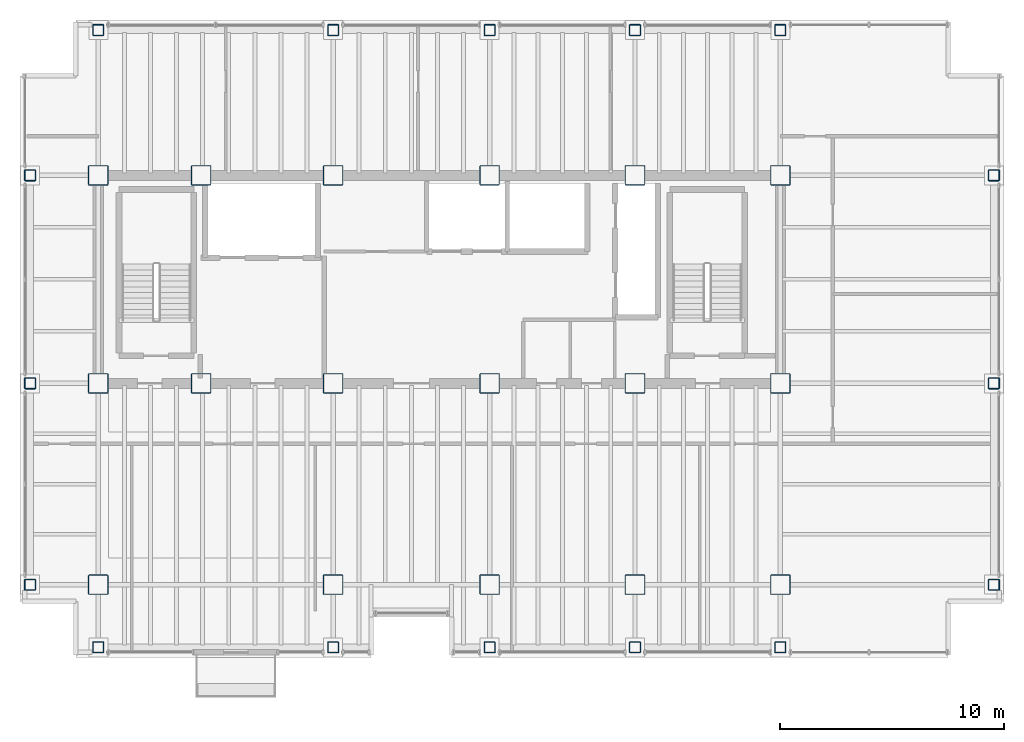
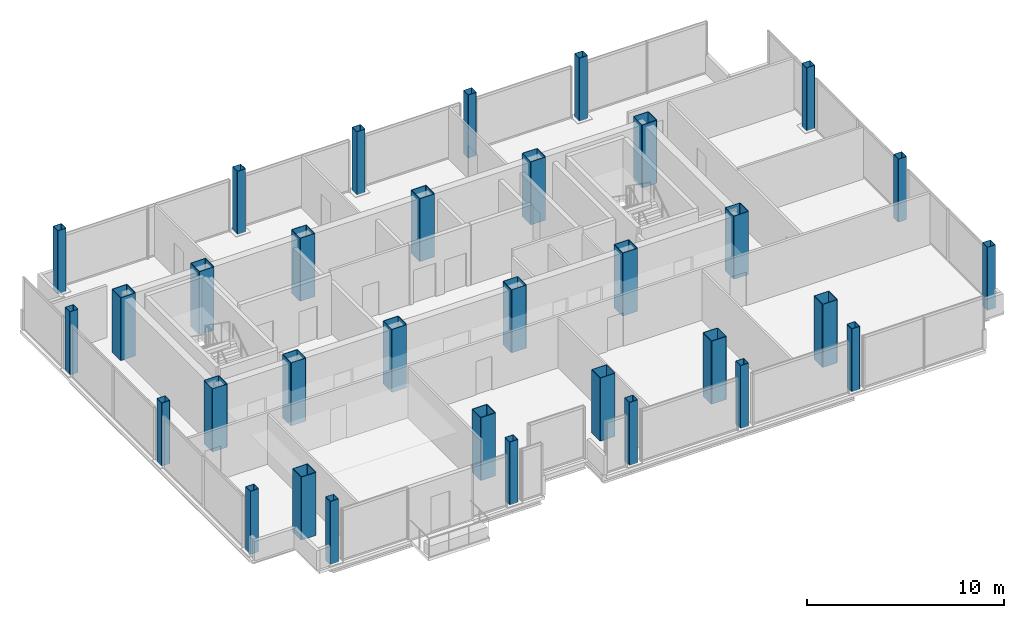
# One storey, part 1 of 15: 33 columns.
"""IFC4 building model written with IfcOpenShell, lengths in metres."""

from ifc_helpers import new_model, si_unit, direction, frame, origin, origin_2d, place, context, subcontext, project, spatial, hollow_rectangle, extrude, material, material_profile, profile_set, type_object, element, save


model = new_model("IFC4")

# Units and contexts
model_context = context("Model", 3, precision=1e-05, world=origin(), true_north=direction((0.0, 1.0)))
body_context = subcontext(model_context, "Body", "Model", "MODEL_VIEW")
ifc_project = project(units=[si_unit("LENGTHUNIT", "METRE"), si_unit("AREAUNIT", "SQUARE_METRE"), si_unit("VOLUMEUNIT", "CUBIC_METRE"), si_unit("PLANEANGLEUNIT", "RADIAN"), si_unit("MASSUNIT", "GRAM", prefix="KILO")], contexts=[model_context])

# Site, building, storey
site_placement = place(None, origin())
site = spatial("IfcSite", under=ifc_project, at=site_placement, CompositionType="ELEMENT")
building_placement = place(site_placement, origin())
building = spatial("IfcBuilding", under=site, at=building_placement, Name="Noeulbin Bourse Tower", CompositionType="ELEMENT")
storey_placement = place(building_placement, frame((0.0, 0.0, 189.0)))
storey = spatial("IfcBuildingStorey", under=building, at=storey_placement, Name="L47", CompositionType="ELEMENT", Elevation=189.0)

# Columns
ifc_material_1 = material(Name="Steel S355", Category="steel")
ifc_material_profile_1 = material_profile(ifc_material_1, hollow_rectangle(XDim=0.5, YDim=0.5, WallThickness=0.02392578125, InnerFilletRadius=0.011962890625, OuterFilletRadius=0.035888671875, at=origin_2d()), Name="BOX-500x500x24", Category="LoadBearing")
ifc_profile_set_1 = profile_set([ifc_material_profile_1], Name="Steel S355")
column_type_1 = type_object("IfcColumnType", Name="COL-PER-Z2", PredefinedType="COLUMN", material=ifc_profile_set_1)
for number, where, z_axis, x_axis, name in (
    (1, (10.449951171875, 20.0, 0.0), (0.0, 0.0, 1.0), (1.0, 0.0, 0.0), "Tower Perimeter Column COL-PER-Z2 01"),
    (2, (10.449951171875, 29.0, 0.0), (0.0, 0.0, 1.0), (1.0, 0.0, 0.0), "Tower Perimeter Column COL-PER-Z2 02"),
    (3, (10.449951171875, 38.300048828125, 0.0), (0.0, 0.0, 1.0), (1.0, 0.0, 0.0), "Tower Perimeter Column COL-PER-Z2 03"),
    (4, (13.5, 17.199951171875, 0.0), (0.0, 0.0, 1.0), (1.0, 0.0, 0.0), "Tower Perimeter Column COL-PER-Z2 04"),
    (5, (13.5, 44.800048828125, 0.0), (0.0, 0.0, 1.0), (1.0, 0.0, 0.0), "Tower Perimeter Column COL-PER-Z2 05"),
    (6, (24.0, 17.199951171875, 0.0), (0.0, 0.0, 1.0), (1.0, 0.0, 0.0), "Tower Perimeter Column COL-PER-Z2 06"),
    (7, (24.0, 44.800048828125, 0.0), (0.0, 0.0, 1.0), (1.0, 0.0, 0.0), "Tower Perimeter Column COL-PER-Z2 07"),
    (8, (31.0, 17.199951171875, 0.0), (0.0, 0.0, 1.0), (1.0, 0.0, 0.0), "Tower Perimeter Column COL-PER-Z2 08"),
    (9, (31.0, 44.800048828125, 0.0), (0.0, 0.0, 1.0), (1.0, 0.0, 0.0), "Tower Perimeter Column COL-PER-Z2 09"),
    (10, (37.5, 17.199951171875, 0.0), (0.0, 0.0, 1.0), (1.0, 0.0, 0.0), "Tower Perimeter Column COL-PER-Z2 10"),
    (11, (37.5, 44.800048828125, 0.0), (0.0, 0.0, 1.0), (1.0, 0.0, 0.0), "Tower Perimeter Column COL-PER-Z2 11"),
    (12, (44.0, 17.199951171875, 0.0), (0.0, 0.0, 1.0), (1.0, 0.0, 0.0), "Tower Perimeter Column COL-PER-Z2 12"),
    (13, (44.0, 44.800048828125, 0.0), (0.0, 0.0, 1.0), (1.0, 0.0, 0.0), "Tower Perimeter Column COL-PER-Z2 13"),
    (14, (53.550048828125, 20.0, 0.0), (0.0, 0.0, 1.0), (1.0, 0.0, 0.0), "Tower Perimeter Column COL-PER-Z2 14"),
    (15, (53.550048828125, 29.0, 0.0), (0.0, 0.0, 1.0), (1.0, 0.0, 0.0), "Tower Perimeter Column COL-PER-Z2 15"),
    (16, (53.550048828125, 38.300048828125, 0.0), (0.0, 0.0, 1.0), (1.0, 0.0, 0.0), "Tower Perimeter Column COL-PER-Z2 16"),
):
    element("IfcColumn", number, at=place(storey_placement, frame(where, z_axis=z_axis, x_axis=x_axis)), inside=storey, type_object=column_type_1, Name=name, PredefinedType="COLUMN", context=body_context, shape_type="SweptSolid", body=[
        extrude(hollow_rectangle(XDim=0.5, YDim=0.5, WallThickness=0.02392578125, InnerFilletRadius=0.011962890625, OuterFilletRadius=0.035888671875, at=origin_2d()), origin(), (0.0, 0.0, 1.0), 3.89990234375),
    ])
ifc_material_2 = material(Name="Steel S460", Category="steel")
ifc_material_profile_2 = material_profile(ifc_material_2, hollow_rectangle(XDim=0.89990234375, YDim=0.89990234375, WallThickness=0.034912109375, InnerFilletRadius=0.01708984375, OuterFilletRadius=0.052001953125, at=origin_2d()), Name="BOX-900x900x35", Category="LoadBearing")
ifc_profile_set_2 = profile_set([ifc_material_profile_2], Name="Steel S460")
column_type_2 = type_object("IfcColumnType", Name="COL-TRK-Z2", PredefinedType="COLUMN", material=ifc_profile_set_2)
for number, where, z_axis, x_axis, name in (
    (17, (13.5, 29.0, 0.0), (0.0, 0.0, 1.0), (1.0, 0.0, 0.0), "Tower Trunk Mega-Column COL-TRK-Z2 01"),
    (18, (13.5, 38.300048828125, 0.0), (0.0, 0.0, 1.0), (1.0, 0.0, 0.0), "Tower Trunk Mega-Column COL-TRK-Z2 02"),
    (19, (18.10009765625, 29.0, 0.0), (0.0, 0.0, 1.0), (1.0, 0.0, 0.0), "Tower Trunk Mega-Column COL-TRK-Z2 03"),
    (20, (18.10009765625, 38.300048828125, 0.0), (0.0, 0.0, 1.0), (1.0, 0.0, 0.0), "Tower Trunk Mega-Column COL-TRK-Z2 04"),
    (21, (24.0, 29.0, 0.0), (0.0, 0.0, 1.0), (1.0, 0.0, 0.0), "Tower Trunk Mega-Column COL-TRK-Z2 05"),
    (22, (24.0, 38.300048828125, 0.0), (0.0, 0.0, 1.0), (1.0, 0.0, 0.0), "Tower Trunk Mega-Column COL-TRK-Z2 06"),
    (23, (31.0, 29.0, 0.0), (0.0, 0.0, 1.0), (1.0, 0.0, 0.0), "Tower Trunk Mega-Column COL-TRK-Z2 07"),
    (24, (31.0, 38.300048828125, 0.0), (0.0, 0.0, 1.0), (1.0, 0.0, 0.0), "Tower Trunk Mega-Column COL-TRK-Z2 08"),
    (25, (37.5, 29.0, 0.0), (0.0, 0.0, 1.0), (1.0, 0.0, 0.0), "Tower Trunk Mega-Column COL-TRK-Z2 09"),
    (26, (37.5, 38.300048828125, 0.0), (0.0, 0.0, 1.0), (1.0, 0.0, 0.0), "Tower Trunk Mega-Column COL-TRK-Z2 10"),
    (27, (44.0, 29.0, 0.0), (0.0, 0.0, 1.0), (1.0, 0.0, 0.0), "Tower Trunk Mega-Column COL-TRK-Z2 11"),
    (28, (44.0, 38.300048828125, 0.0), (0.0, 0.0, 1.0), (1.0, 0.0, 0.0), "Tower Trunk Mega-Column COL-TRK-Z2 12"),
    (29, (13.5, 20.0, 0.0), (0.0, 0.0, 1.0), (1.0, 0.0, 0.0), "Tower Trunk Mega-Column COL-TRK-Z2 13"),
    (30, (24.0, 20.0, 0.0), (0.0, 0.0, 1.0), (1.0, 0.0, 0.0), "Tower Trunk Mega-Column COL-TRK-Z2 14"),
    (31, (31.0, 20.0, 0.0), (0.0, 0.0, 1.0), (1.0, 0.0, 0.0), "Tower Trunk Mega-Column COL-TRK-Z2 15"),
    (32, (37.5, 20.0, 0.0), (0.0, 0.0, 1.0), (1.0, 0.0, 0.0), "Tower Trunk Mega-Column COL-TRK-Z2 16"),
    (33, (44.0, 20.0, 0.0), (0.0, 0.0, 1.0), (1.0, 0.0, 0.0), "Tower Trunk Mega-Column COL-TRK-Z2 17"),
):
    element("IfcColumn", number, at=place(storey_placement, frame(where, z_axis=z_axis, x_axis=x_axis)), inside=storey, type_object=column_type_2, Name=name, PredefinedType="COLUMN", context=body_context, shape_type="SweptSolid", body=[
        extrude(hollow_rectangle(XDim=0.89990234375, YDim=0.89990234375, WallThickness=0.034912109375, InnerFilletRadius=0.01708984375, OuterFilletRadius=0.052001953125, at=origin_2d()), origin(), (0.0, 0.0, 1.0), 3.89990234375),
    ])

save(model, "model.ifc")
